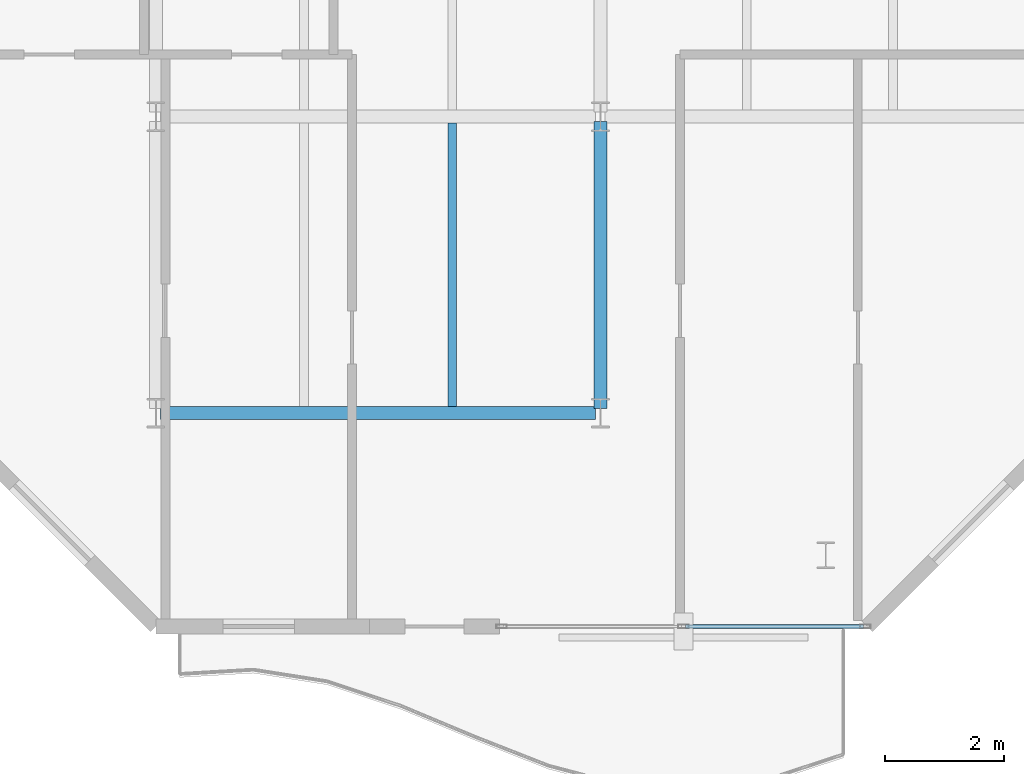
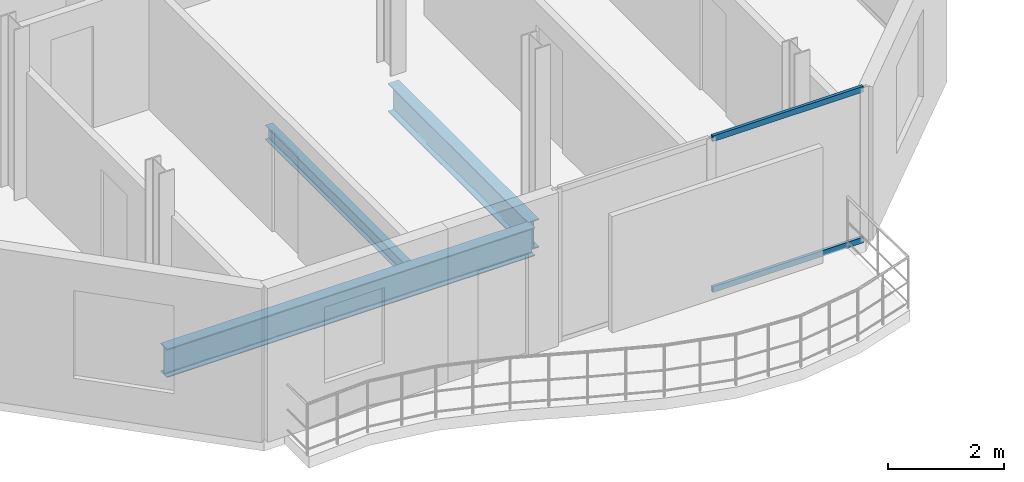
# One storey, part 4 of 23: 3 beams, 2 members, 1 element without a shape of its own.
"""IFC4 building model written with IfcOpenShell, lengths in metres."""

from ifc_helpers import new_model, si_unit, direction, frame, origin, origin_2d, place, context, subcontext, project, spatial, hollow_rectangle, i_section, extrude, material, layer, layer_set, material_profile, profile_set, type_object, element, aggregate, save


model = new_model("IFC4")

# Units and contexts
model_context = context("Model", 3, precision=1e-05, world=origin(), true_north=direction((0.0, 1.0)))
body_context = subcontext(model_context, "Body", "Model", "MODEL_VIEW")
ifc_project = project(units=[si_unit("LENGTHUNIT", "METRE"), si_unit("AREAUNIT", "SQUARE_METRE"), si_unit("VOLUMEUNIT", "CUBIC_METRE"), si_unit("PLANEANGLEUNIT", "RADIAN"), si_unit("MASSUNIT", "GRAM", prefix="KILO")], contexts=[model_context])

# Site, building, storey
site_placement = place(None, origin())
site = spatial("IfcSite", under=ifc_project, at=site_placement, CompositionType="ELEMENT")
building_placement = place(site_placement, origin())
building = spatial("IfcBuilding", under=site, at=building_placement, Name="Catumbela Crestline Tower", CompositionType="ELEMENT")
storey_placement = place(building_placement, frame((0.0, 0.0, 204.6)))
storey = spatial("IfcBuildingStorey", under=building, at=storey_placement, Name="L53", CompositionType="ELEMENT", Elevation=204.6)

# Beams
ifc_material_1 = material(Name="Structural steel S355J2", Category="steel")
ifc_material_profile_1 = material_profile(ifc_material_1, i_section(OverallWidth=0.22, OverallDepth=0.6, WebThickness=0.012, FlangeThickness=0.019, FilletRadius=0.024, at=origin_2d()), Name="IPE 600")
ifc_profile_set_1 = profile_set([ifc_material_profile_1], Name="Structural steel S355J2")
beam_type_1 = type_object("IfcBeamType", Name="BG-IPE600", PredefinedType="BEAM", material=ifc_profile_set_1)
beam_1_placement = place(storey_placement, frame((8.58, 8.6, -0.56), z_axis=(1.0, 0.0, 0.0), x_axis=(0.0, 1.0, 0.0)))
element("IfcBeam", 1, at=beam_1_placement, inside=storey, type_object=beam_type_1, Name="L53 Beam BM-L53-WEW32", PredefinedType="BEAM", context=body_context, shape_type="SweptSolid", body=[
    extrude(i_section(OverallWidth=0.22, OverallDepth=0.6, WebThickness=0.012, FlangeThickness=0.019, FilletRadius=0.024, at=origin_2d()), origin(), (0.0, 0.0, 1.0), 7.34),
])
beam_2_placement = place(storey_placement, frame((16.0, 8.68, -0.56), z_axis=(0.0, 1.0, 0.0), x_axis=(-1.0, 0.0, 0.0)))
element("IfcBeam", 2, at=beam_2_placement, inside=storey, type_object=beam_type_1, Name="L53 Beam BM-L53-WNS40", PredefinedType="BEAM", context=body_context, shape_type="SweptSolid", body=[
    extrude(i_section(OverallWidth=0.22, OverallDepth=0.6, WebThickness=0.012, FlangeThickness=0.019, FilletRadius=0.024, at=origin_2d()), origin(), (0.0, 0.0, 1.0), 4.84),
])
ifc_material_profile_2 = material_profile(ifc_material_1, i_section(OverallWidth=0.15, OverallDepth=0.3, WebThickness=0.0071, FlangeThickness=0.0107, FilletRadius=0.015, at=origin_2d()), Name="IPE 300")
ifc_profile_set_2 = profile_set([ifc_material_profile_2], Name="Structural steel S355J2")
beam_type_2 = type_object("IfcBeamType", Name="BJ-IPE300", PredefinedType="JOIST", material=ifc_profile_set_2)
beam_3_placement = place(storey_placement, frame((13.5, 8.71, -0.41), z_axis=(0.0, 1.0, 0.0), x_axis=(-1.0, 0.0, 0.0)))
element("IfcBeam", 3, at=beam_3_placement, inside=storey, type_object=beam_type_2, Name="L53 Joist JS-L53-WG45", PredefinedType="JOIST", context=body_context, shape_type="SweptSolid", body=[
    extrude(i_section(OverallWidth=0.15, OverallDepth=0.3, WebThickness=0.0071, FlangeThickness=0.0107, FilletRadius=0.015, at=origin_2d()), origin(), (0.0, 0.0, 1.0), 4.78),
])

# Curtain wall, members
ifc_material_2 = material(Name="Aluminium alloy AW-6060-T66", Category="aluminium")
ifc_layer = layer(ifc_material_2, 0.18, Name="Aluminium alloy AW-6060-T66")
ifc_layer_set = layer_set([ifc_layer], Name="Aluminium alloy AW-6060-T66")
curtain_wall_type = type_object("IfcCurtainWallType", Name="CWU-Z3", PredefinedType="USERDEFINED", material=ifc_layer_set)
curtain_wall_placement = place(storey_placement, origin())
curtain_wall = element("IfcCurtainWall", 4, at=curtain_wall_placement, inside=storey, type_object=curtain_wall_type, Name="L53 Unitised Curtain Wall CW-L53-E0S2", ObjectType="UNITISED", PredefinedType="USERDEFINED")
ifc_material_profile_3 = material_profile(ifc_material_2, hollow_rectangle(XDim=0.06, YDim=0.12, WallThickness=0.0035, at=origin_2d()), Name="ALU 120x60x3.5")
ifc_profile_set_3 = profile_set([ifc_material_profile_3], Name="Aluminium alloy AW-6060-T66")
member_type = type_object("IfcMemberType", Name="TRN-120X60", PredefinedType="USERDEFINED", material=ifc_profile_set_3)
member_1_placement = place(storey_placement, frame((17.4325, 5.0, 0.03), z_axis=(1.0, 0.0, 0.0), x_axis=(0.0, 1.0, 0.0)))
member_1 = element("IfcMember", 5, at=member_1_placement, type_object=member_type, Name="CWU-Z3 transom 2.1", ObjectType="TRANSOM", PredefinedType="USERDEFINED", context=body_context, shape_type="SweptSolid", body=[
    extrude(hollow_rectangle(XDim=0.06, YDim=0.12, WallThickness=0.0035, at=origin_2d()), origin(), (0.0, 0.0, 1.0), 3.0025),
])
member_2_placement = place(storey_placement, frame((17.4325, 5.0, 3.21), z_axis=(1.0, 0.0, 0.0), x_axis=(0.0, 1.0, 0.0)))
member_2 = element("IfcMember", 6, at=member_2_placement, type_object=member_type, Name="CWU-Z3 transom 2.2", ObjectType="TRANSOM", PredefinedType="USERDEFINED", context=body_context, shape_type="SweptSolid", body=[
    extrude(hollow_rectangle(XDim=0.06, YDim=0.12, WallThickness=0.0035, at=origin_2d()), origin(), (0.0, 0.0, 1.0), 3.0025),
])
aggregate(curtain_wall, [member_1, member_2])

save(model, "model.ifc")
